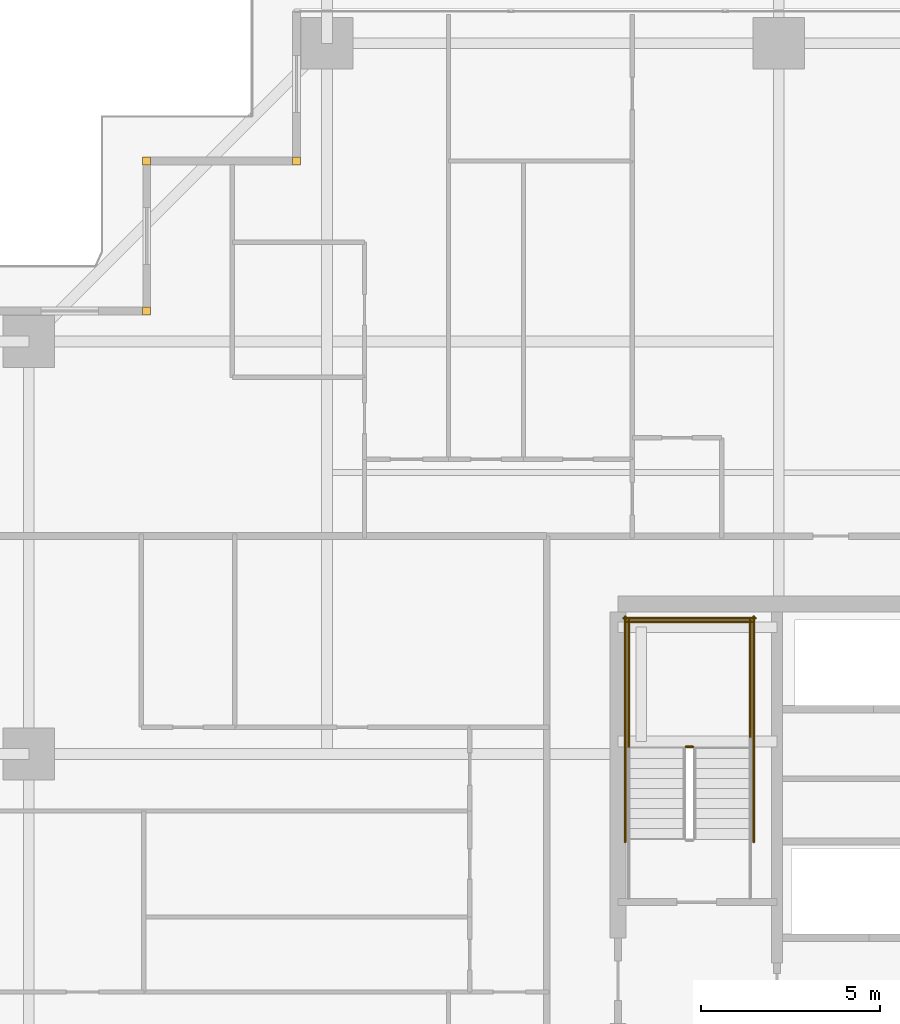
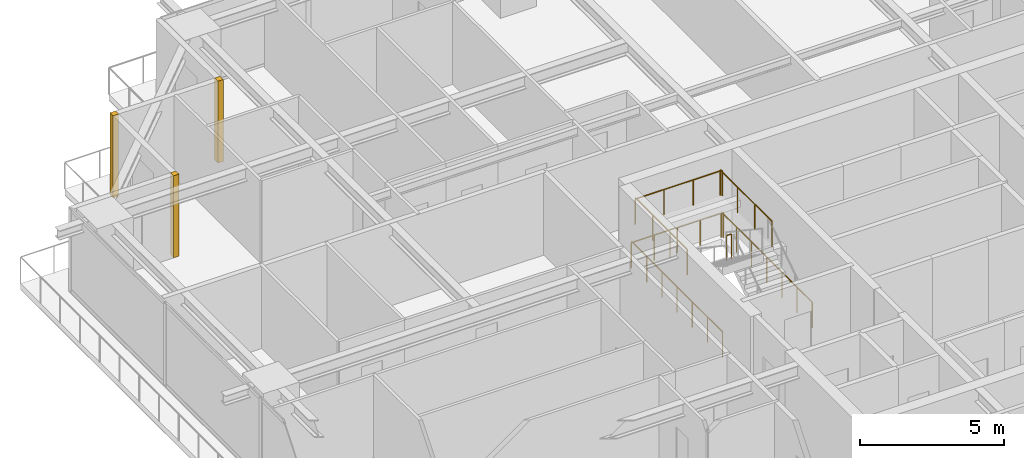
# One storey, part 38 of 39: 7 railings, 3 coverings.
"""IFC4 building model written with IfcOpenShell, lengths in metres."""

from ifc_helpers import new_model, si_unit, direction, frame, origin, origin_2d, place, context, subcontext, project, spatial, rectangle, circle, extrude, source, transform, mapped, material, layer, layer_set, type_object, element, save


model = new_model("IFC4")

# Units and contexts
model_context = context("Model", 3, precision=1e-05, world=origin(), true_north=direction((0.0, 1.0)))
body_context = subcontext(model_context, "Body", "Model", "MODEL_VIEW")
ifc_project = project(units=[si_unit("LENGTHUNIT", "METRE"), si_unit("AREAUNIT", "SQUARE_METRE"), si_unit("VOLUMEUNIT", "CUBIC_METRE"), si_unit("PLANEANGLEUNIT", "RADIAN"), si_unit("MASSUNIT", "GRAM", prefix="KILO")], contexts=[model_context])

# Site, building, storey
site_placement = place(None, origin())
site = spatial("IfcSite", under=ifc_project, at=site_placement, CompositionType="ELEMENT")
building_placement = place(site_placement, origin())
building = spatial("IfcBuilding", under=site, at=building_placement, Name="Serunith Strait Residences", CompositionType="ELEMENT")
storey_placement = place(building_placement, frame((0.0, 0.0, 94.199951171875)))
storey = spatial("IfcBuildingStorey", under=building, at=storey_placement, Name="L23", CompositionType="ELEMENT", Elevation=94.199951171875)

# Railings
ifc_material_1 = material(Name="Brushed stainless steel 316L", Category="steel")
railing_type = type_object("IfcRailingType", Name="RLG-STAIR-GUARD", PredefinedType="BALUSTRADE", material=ifc_material_1)
railing_1_placement = place(storey_placement, frame((25.5, 29.60009765625, 1.875)))
element("IfcRailing", 1, at=railing_1_placement, inside=storey, type_object=railing_type, Name="L23 ST-1 stair guard 2", PredefinedType="BALUSTRADE", context=body_context, shape_type="SweptSolid", body=[
    extrude(circle(Radius=0.02392578125, at=origin_2d()), frame((-0.001953125, 0.0, 1.076171875), z_axis=(-1.0, 0.0, 0.0), x_axis=(0.0, -1.0, 0.0)), (0.0, 0.0, 1.0), 0.196044921875),
    extrude(circle(Radius=0.02099609375, at=origin_2d()), origin(), (0.0, 0.0, 1.0), 1.050048828125),
    extrude(circle(Radius=0.02099609375, at=origin_2d()), frame((-0.199951171875, 0.0, 0.0)), (0.0, 0.0, 1.0), 1.050048828125),
])
for number, where, name in (
    (2, (27.10009765625, 29.550048828125, 1.875), "L23 ST-1 stair guard 3"),
    (3, (23.699951171875, 29.550048828125, 1.875), "L23 ST-1 stair guard 4"),
):
    element("IfcRailing", number, at=place(storey_placement, frame(where)), inside=storey, type_object=railing_type, Name=name, PredefinedType="BALUSTRADE", context=body_context, shape_type="SweptSolid", body=[
        extrude(circle(Radius=0.02392578125, at=origin_2d()), frame((0.0, 0.001953125, 1.076171875), z_axis=(0.0, 1.0, 0.0), x_axis=(-1.0, 0.0, 0.0)), (0.0, 0.0, 1.0), 3.595947265625),
        extrude(circle(Radius=0.02099609375, at=origin_2d()), origin(), (0.0, 0.0, 1.0), 1.050048828125),
        extrude(circle(Radius=0.02099609375, at=origin_2d()), frame((0.0, 1.199951171875, 0.0)), (0.0, 0.0, 1.0), 1.050048828125),
        extrude(circle(Radius=0.02099609375, at=origin_2d()), frame((0.0, 2.39990234375, 0.0)), (0.0, 0.0, 1.0), 1.050048828125),
        extrude(circle(Radius=0.02099609375, at=origin_2d()), frame((0.0, 3.599853515625, 0.0)), (0.0, 0.0, 1.0), 1.050048828125),
    ])
railing_2_placement = place(storey_placement, frame((27.14990234375, 33.10009765625, 1.875)))
element("IfcRailing", 4, at=railing_2_placement, inside=storey, type_object=railing_type, Name="L23 ST-1 stair guard 5", PredefinedType="BALUSTRADE", context=body_context, shape_type="SweptSolid", body=[
    extrude(circle(Radius=0.02392578125, at=origin_2d()), frame((-0.001953125, 0.0, 1.076171875), z_axis=(-1.0, 0.0, 0.0), x_axis=(0.0, -1.0, 0.0)), (0.0, 0.0, 1.0), 3.49609375),
    extrude(circle(Radius=0.02099609375, at=origin_2d()), origin(), (0.0, 0.0, 1.0), 1.050048828125),
    extrude(circle(Radius=0.02099609375, at=origin_2d()), frame((-1.166748046875, 0.0, 0.0)), (0.0, 0.0, 1.0), 1.050048828125),
    extrude(circle(Radius=0.02099609375, at=origin_2d()), frame((-2.333251953125, 0.0, 0.0)), (0.0, 0.0, 1.0), 1.050048828125),
    extrude(circle(Radius=0.02099609375, at=origin_2d()), frame((-3.5, 0.0, 0.0)), (0.0, 0.0, 1.0), 1.050048828125),
])
for number, where, name in (
    (5, (27.199951171875, 26.929931640625, 0.0), "L23 ST-1 stair guard 10"),
    (6, (23.60009765625, 26.929931640625, 0.0), "L23 ST-1 stair guard 11"),
):
    element("IfcRailing", number, at=place(storey_placement, frame(where)), inside=storey, type_object=railing_type, Name=name, PredefinedType="BALUSTRADE", context=body_context, shape_type="SweptSolid", body=[
        extrude(circle(Radius=0.02392578125, at=origin_2d()), frame((0.0, 0.001953125, 1.076171875), z_axis=(0.0, 1.0, 0.0), x_axis=(-1.0, 0.0, 0.0)), (0.0, 0.0, 1.0), 6.316162109375),
        extrude(circle(Radius=0.02099609375, at=origin_2d()), origin(), (0.0, 0.0, 1.0), 1.050048828125),
        extrude(circle(Radius=0.02099609375, at=origin_2d()), frame((0.0, 1.05322265625, 0.0)), (0.0, 0.0, 1.0), 1.050048828125),
        extrude(circle(Radius=0.02099609375, at=origin_2d()), frame((0.0, 2.106689453125, 0.0)), (0.0, 0.0, 1.0), 1.050048828125),
        extrude(circle(Radius=0.02099609375, at=origin_2d()), frame((0.0, 3.16015625, 0.0)), (0.0, 0.0, 1.0), 1.050048828125),
        extrude(circle(Radius=0.02099609375, at=origin_2d()), frame((0.0, 4.21337890625, 0.0)), (0.0, 0.0, 1.0), 1.050048828125),
        extrude(circle(Radius=0.02099609375, at=origin_2d()), frame((0.0, 5.2666015625, 0.0)), (0.0, 0.0, 1.0), 1.050048828125),
        extrude(circle(Radius=0.02099609375, at=origin_2d()), frame((0.0, 6.320068359375, 0.0)), (0.0, 0.0, 1.0), 1.050048828125),
    ])
railing_3_placement = place(storey_placement, frame((27.25, 33.199951171875, 0.0)))
element("IfcRailing", 7, at=railing_3_placement, inside=storey, type_object=railing_type, Name="L23 ST-1 stair guard 12", PredefinedType="BALUSTRADE", context=body_context, shape_type="SweptSolid", body=[
    extrude(circle(Radius=0.02392578125, at=origin_2d()), frame((-0.001953125, 0.0, 1.076171875), z_axis=(-1.0, 0.0, 0.0), x_axis=(0.0, -1.0, 0.0)), (0.0, 0.0, 1.0), 3.696044921875),
    extrude(circle(Radius=0.02099609375, at=origin_2d()), origin(), (0.0, 0.0, 1.0), 1.050048828125),
    extrude(circle(Radius=0.02099609375, at=origin_2d()), frame((-0.925048828125, 0.0, 0.0)), (0.0, 0.0, 1.0), 1.050048828125),
    extrude(circle(Radius=0.02099609375, at=origin_2d()), frame((-1.85009765625, 0.0, 0.0)), (0.0, 0.0, 1.0), 1.050048828125),
    extrude(circle(Radius=0.02099609375, at=origin_2d()), frame((-2.77490234375, 0.0, 0.0)), (0.0, 0.0, 1.0), 1.050048828125),
    extrude(circle(Radius=0.02099609375, at=origin_2d()), frame((-3.699951171875, 0.0, 0.0)), (0.0, 0.0, 1.0), 1.050048828125),
])

# Coverings
ifc_material_2 = material(Name="Pale-Champagne Anodised Aluminium", Category="aluminium")
ifc_layer = layer(ifc_material_2, 0.219970703125, Name="Pale-Champagne Anodised Aluminium")
ifc_layer_set = layer_set([ifc_layer], Name="Pale-Champagne Anodised Aluminium")
covering_type = type_object("IfcCoveringType", Name="COV-CORN-TRIM", PredefinedType="CLADDING", material=ifc_layer_set)
shared_shape = source(origin(), body_context, "Body", "SweptSolid", [
    extrude(rectangle(XDim=0.221923828125, YDim=0.221923828125, at=origin_2d()), origin(), (0.0, 0.0, 1.0), 3.47509765625),
])
for number, where, z_axis, x_axis, name in (
    (8, (14.39990234375, 46.0, 0.0), (0.0, 0.0, 1.0), (1.0, 0.0, 0.0), "L23 Girih Serrated Corner Trim Post 12"),
    (9, (10.199951171875, 46.0, 0.0), (0.0, 0.0, 1.0), (1.0, 0.0, 0.0), "L23 Girih Serrated Corner Trim Post 13"),
    (10, (10.199951171875, 41.800048828125, 0.0), (0.0, 0.0, 1.0), (1.0, 0.0, 0.0), "L23 Girih Serrated Corner Trim Post 14"),
):
    element("IfcCovering", number, at=place(storey_placement, frame(where, z_axis=z_axis, x_axis=x_axis)), inside=storey, type_object=covering_type, Name=name, PredefinedType="CLADDING", context=body_context, shape_type="MappedRepresentation", body=[
        mapped(shared_shape, transform((0.0, 0.0, 0.0), scale=1.0)),
    ])

save(model, "model.ifc")
